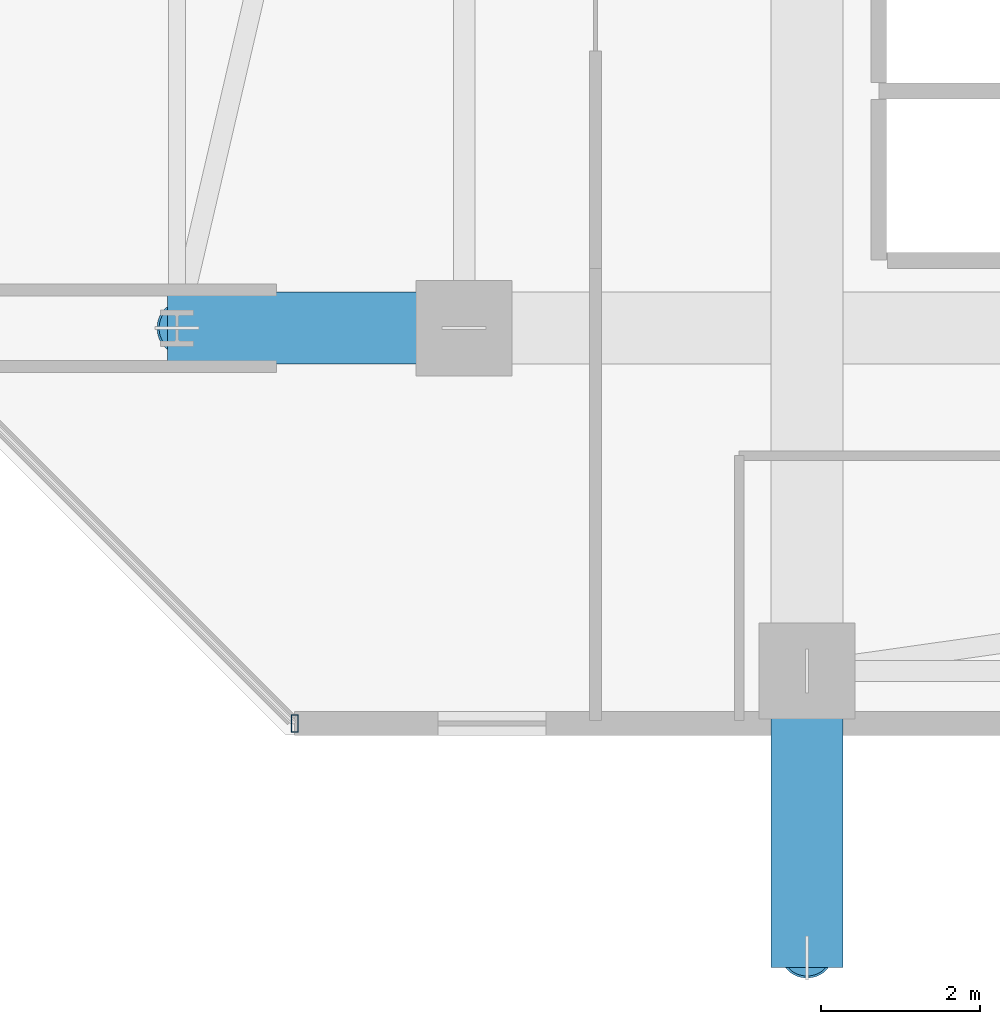
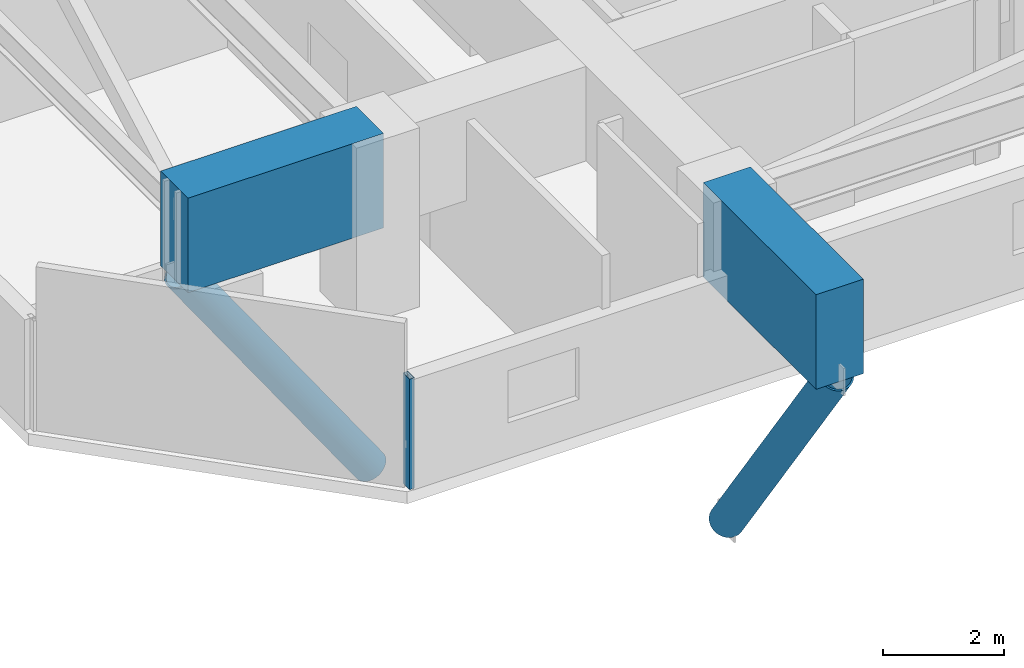
# One storey, part 11 of 36: 3 members, 2 beams, 1 element without a shape of its own.
"""IFC4 building model written with IfcOpenShell, lengths in metres."""

from ifc_helpers import new_model, si_unit, direction, frame, origin, origin_2d, place, context, subcontext, project, spatial, rectangle, hollow_rectangle, hollow_circle, extrude, material, material_profile, profile_set, type_object, element, aggregate, save


model = new_model("IFC4")

# Units and contexts
model_context = context("Model", 3, precision=1e-05, world=origin(), true_north=direction((0.0, 1.0)))
body_context = subcontext(model_context, "Body", "Model", "MODEL_VIEW")
ifc_project = project(units=[si_unit("LENGTHUNIT", "METRE"), si_unit("AREAUNIT", "SQUARE_METRE"), si_unit("VOLUMEUNIT", "CUBIC_METRE"), si_unit("PLANEANGLEUNIT", "RADIAN"), si_unit("MASSUNIT", "GRAM", prefix="KILO")], contexts=[model_context])

# Site, building, storey
site_placement = place(None, origin())
site = spatial("IfcSite", under=ifc_project, at=site_placement, CompositionType="ELEMENT")
building_placement = place(site_placement, origin())
building = spatial("IfcBuilding", under=site, at=building_placement, Name="Thornwick Lancets Civic Towers", CompositionType="ELEMENT")
storey_placement = place(building_placement, frame((0.0, 0.0, 94.5)))
storey = spatial("IfcBuildingStorey", under=building, at=storey_placement, Name="L24", CompositionType="ELEMENT", Elevation=94.5)

# Beams
ifc_material_1 = material(Name="Concrete C60/75", Category="concrete")
ifc_material_profile_1 = material_profile(ifc_material_1, rectangle(XDim=0.89990234375, YDim=1.89990234375, at=origin_2d()), Name="RC 900x1900")
ifc_profile_set_1 = profile_set([ifc_material_profile_1], Name="Concrete C60/75")
beam_type = type_object("IfcBeamType", Name="BM_TR_RC1900", PredefinedType="BEAM", material=ifc_profile_set_1)
for number, where, z_axis, x_axis, name in (
    (1, (71.199951171875, 14.0, 2.64990234375), (-1.0, 0.0, 0.0), (0.0, -1.0, 0.0), "TG-CANT-L25-B07"),
    (2, (75.5, 9.699951171875, 2.64990234375), (0.0, -1.0, 0.0), (1.0, 0.0, 0.0), "TG-CANT-L25-B12"),
):
    element("IfcBeam", number, at=place(storey_placement, frame(where, z_axis=z_axis, x_axis=x_axis)), inside=storey, type_object=beam_type, Name=name, PredefinedType="BEAM", context=body_context, shape_type="SweptSolid", body=[
        extrude(rectangle(XDim=0.89990234375, YDim=1.89990234375, at=origin_2d()), origin(), (0.0, 0.0, 1.0), 3.719970703125),
    ])

# Curtain wall, member
ifc_material_2 = material(Name="Low-zone chamfered-corner unitised glass curtain wall", Category="glass")
curtain_wall_type = type_object("IfcCurtainWallType", Name="CW_SYS_03", PredefinedType="NOTDEFINED", material=ifc_material_2)
curtain_wall_placement = place(storey_placement, origin())
curtain_wall = element("IfcCurtainWall", 3, at=curtain_wall_placement, inside=storey, type_object=curtain_wall_type, Name="L24 Curtain Wall CW-L24-B-E7", PredefinedType="NOTDEFINED")
ifc_material_3 = material(Name="Thermally broken bronze aluminium S355", Category="steel")
ifc_material_profile_2 = material_profile(ifc_material_3, hollow_rectangle(XDim=0.090087890625, YDim=0.219970703125, WallThickness=0.00634765625, at=origin_2d()), Name="RHS 220x90x6.3")
ifc_profile_set_2 = profile_set([ifc_material_profile_2], Name="Thermally broken bronze aluminium S355")
member_type_1 = type_object("IfcMemberType", Name="CW_MUL_220", PredefinedType="MULLION", material=ifc_profile_set_2)
member_placement = place(storey_placement, frame((69.074951171875, 9.041748046875, 0.0), z_axis=(0.0, 0.0, 1.0), x_axis=(1.0, 0.0, 0.0)))
member = element("IfcMember", 4, at=member_placement, type_object=member_type_1, Name="CW-L24-B-E7 Mullion 1", PredefinedType="MULLION", context=body_context, shape_type="SweptSolid", body=[
    extrude(hollow_rectangle(XDim=0.090087890625, YDim=0.219970703125, WallThickness=0.00634765625, at=origin_2d()), origin(), (0.0, 0.0, 1.0), 2.219970703125),
])
aggregate(curtain_wall, [member])

# Members
ifc_material_4 = material(Name="Steel S460M", Category="steel")
ifc_material_profile_3 = material_profile(ifc_material_4, hollow_circle(Radius=0.304931640625, WallThickness=0.030029296875, at=origin_2d()), Name="CHS 610x30")
ifc_profile_set_3 = profile_set([ifc_material_profile_3], Name="Steel S460M")
member_type_2 = type_object("IfcMemberType", Name="MEM_STRUT_CHS610", PredefinedType="STRUT", material=ifc_profile_set_3)
for number, where, z_axis, x_axis, name in (
    (5, (71.199951171875, 14.0, -3.35009765625), (-0.574400563042, 0.0, 0.818574366308), (0.0, -1.0, 0.0), "L25 Jenga Transfer Raking Strut B07"),
    (6, (75.5, 9.699951171875, -3.35009765625), (0.0, -0.574400563042, 0.818574366308), (1.0, 0.0, 0.0), "L25 Jenga Transfer Raking Strut B12"),
):
    element("IfcMember", number, at=place(storey_placement, frame(where, z_axis=z_axis, x_axis=x_axis)), inside=storey, type_object=member_type_2, Name=name, PredefinedType="STRUT", context=body_context, shape_type="SweptSolid", body=[
        extrude(hollow_circle(Radius=0.304931640625, WallThickness=0.030029296875, at=origin_2d()), origin(), (0.0, 0.0, 1.0), 6.26708984375),
    ])

save(model, "model.ifc")
